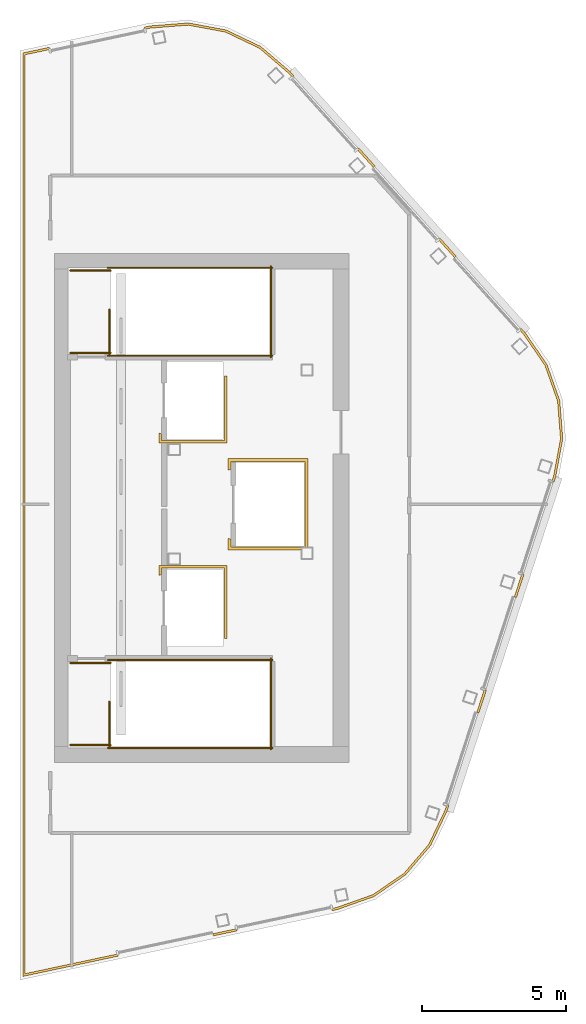
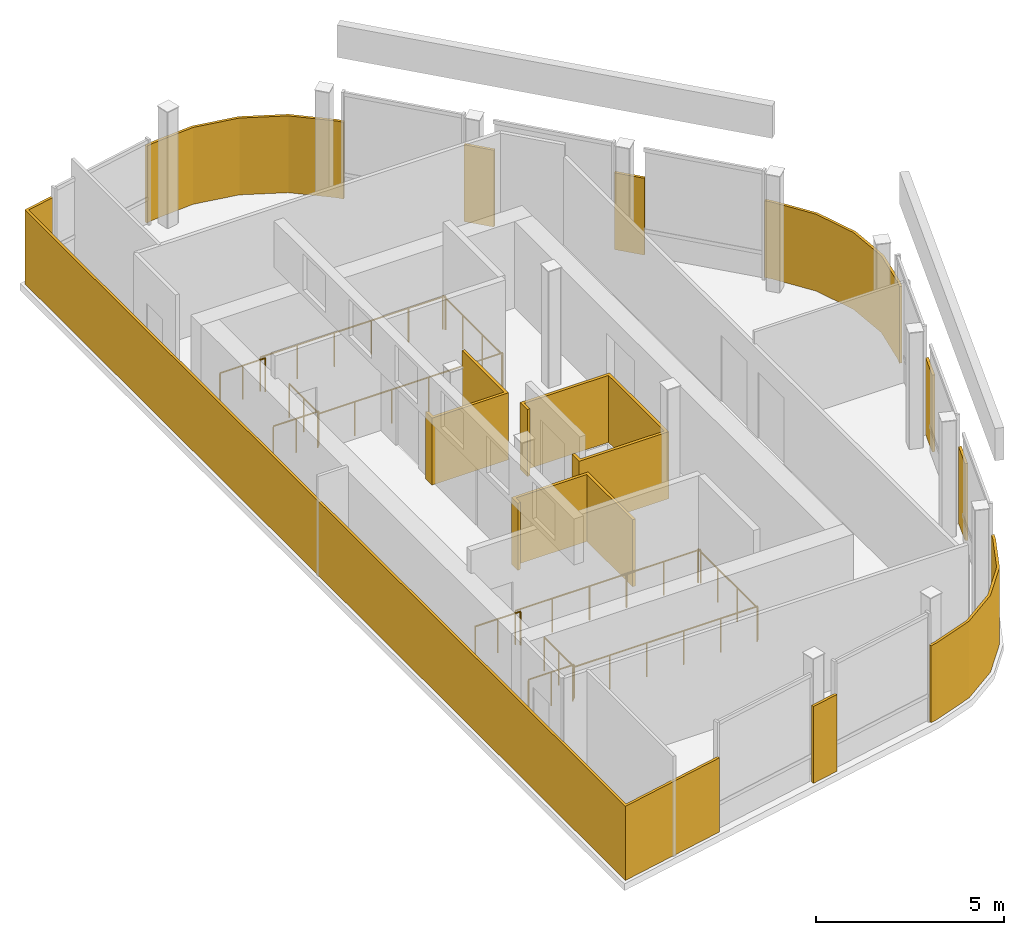
# One storey, part 3 of 3: 12 coverings, 12 railings.
"""IFC4 building model written with IfcOpenShell, lengths in metres."""

from ifc_helpers import new_model, si_unit, direction, frame, origin, origin_2d, place, context, subcontext, project, spatial, polyline, circle, outline, extrude, material, layer, layer_set, type_object, element, save


model = new_model("IFC4")

# Units and contexts
model_context = context("Model", 3, precision=1e-05, world=origin(), true_north=direction((0.0, 1.0)))
body_context = subcontext(model_context, "Body", "Model", "MODEL_VIEW")
ifc_project = project(units=[si_unit("LENGTHUNIT", "METRE"), si_unit("AREAUNIT", "SQUARE_METRE"), si_unit("VOLUMEUNIT", "CUBIC_METRE"), si_unit("PLANEANGLEUNIT", "RADIAN"), si_unit("MASSUNIT", "GRAM", prefix="KILO")], contexts=[model_context])

# Site, building, storey
site_placement = place(None, origin())
site = spatial("IfcSite", under=ifc_project, at=site_placement, CompositionType="ELEMENT")
building_placement = place(site_placement, origin())
building = spatial("IfcBuilding", under=site, at=building_placement, Name="Valkerne Bourse Tower", CompositionType="ELEMENT")
storey_placement = place(building_placement, frame((0.0, 0.0, 334.39990234375)))
storey = spatial("IfcBuildingStorey", under=building, at=storey_placement, Name="L85", CompositionType="ELEMENT", Elevation=334.39990234375)

# Coverings
ifc_material_1 = material(Name="Bronze Anodised Aluminium AA 6063-T6", Category="aluminium")
ifc_layer_1 = layer(ifc_material_1, 0.06005859375)
ifc_layer_set_1 = layer_set([ifc_layer_1], Name="Bronze Anodised Aluminium AA 6063-T6")
covering_type_1 = type_object("IfcCoveringType", Name="COV-CRN-ALUM", PredefinedType="CLADDING", material=ifc_layer_set_1)
covering_1_placement = place(storey_placement, origin())
element("IfcCovering", 1, at=covering_1_placement, inside=storey, type_object=covering_type_1, Name="L85 Wind-Shaped Corner Aluminium Cladding 01", PredefinedType="CLADDING", context=body_context, shape_type="SweptSolid", body=[
    extrude(outline(polyline([(52.144287109375, 43.4482421875), (53.345947265625, 42.875244140625), (54.363037109375, 42.00634765625), (54.4921875, 41.86279296875), (54.432861328125, 41.80908203125), (54.30712890625, 41.948974609375), (53.302001953125, 42.8076171875), (52.119384765625, 43.37158203125), (50.831298828125, 43.610107421875), (49.513427734375, 43.506591796875), (49.32958984375, 43.46728515625), (49.312744140625, 43.545654296875), (49.501953125, 43.585693359375), (50.83544921875, 43.69091796875), (52.144287109375, 43.4482421875)])), origin(), (0.0, 0.0, 1.0), 2.5),
])
covering_2_placement = place(storey_placement, origin())
element("IfcCovering", 2, at=covering_2_placement, inside=storey, type_object=covering_type_1, Name="L85 Wind-Shaped Corner Aluminium Cladding 02", PredefinedType="CLADDING", context=body_context, shape_type="SweptSolid", body=[
    extrude(outline(polyline([(57.310791015625, 38.732666015625), (57.251220703125, 38.67919921875), (56.689208984375, 39.30322265625), (56.748779296875, 39.35693359375), (57.310791015625, 38.732666015625)])), origin(), (0.0, 0.0, 1.0), 2.5),
])
covering_3_placement = place(storey_placement, origin())
element("IfcCovering", 3, at=covering_3_placement, inside=storey, type_object=covering_type_1, Name="L85 Wind-Shaped Corner Aluminium Cladding 03", PredefinedType="CLADDING", context=body_context, shape_type="SweptSolid", body=[
    extrude(outline(polyline([(60.129150390625, 35.6025390625), (60.069580078125, 35.549072265625), (59.507568359375, 36.173095703125), (59.56689453125, 36.226806640625), (60.129150390625, 35.6025390625)])), origin(), (0.0, 0.0, 1.0), 2.5),
])
covering_4_placement = place(storey_placement, origin())
element("IfcCovering", 4, at=covering_4_placement, inside=storey, type_object=covering_type_1, Name="L85 Wind-Shaped Corner Aluminium Cladding 04", PredefinedType="CLADDING", context=body_context, shape_type="SweptSolid", body=[
    extrude(outline(polyline([(62.5146484375, 32.953125), (63.2724609375, 31.8505859375), (63.716796875, 30.595703125), (63.8212890625, 29.268798828125), (63.577392578125, 27.953369140625), (63.517578125, 27.76953125), (63.441650390625, 27.794189453125), (63.499755859375, 27.97314453125), (63.740478515625, 29.27294921875), (63.6376953125, 30.5791015625), (63.200439453125, 31.81396484375), (62.45166015625, 32.9033203125), (62.325927734375, 33.043212890625), (62.385498046875, 33.0966796875), (62.5146484375, 32.953125)])), origin(), (0.0, 0.0, 1.0), 2.5),
])
covering_5_placement = place(storey_placement, origin())
element("IfcCovering", 5, at=covering_5_placement, inside=storey, type_object=covering_type_1, Name="L85 Wind-Shaped Corner Aluminium Cladding 05", PredefinedType="CLADDING", context=body_context, shape_type="SweptSolid", body=[
    extrude(outline(polyline([(62.216064453125, 23.763916015625), (62.139892578125, 23.78857421875), (62.399658203125, 24.58740234375), (62.4755859375, 24.562744140625), (62.216064453125, 23.763916015625)])), origin(), (0.0, 0.0, 1.0), 2.5),
])
covering_6_placement = place(storey_placement, origin())
element("IfcCovering", 6, at=covering_6_placement, inside=storey, type_object=covering_type_1, Name="L85 Wind-Shaped Corner Aluminium Cladding 06", PredefinedType="CLADDING", context=body_context, shape_type="SweptSolid", body=[
    extrude(outline(polyline([(60.91455078125, 19.7578125), (60.83837890625, 19.78271484375), (61.097900390625, 20.58154296875), (61.174072265625, 20.556884765625), (60.91455078125, 19.7578125)])), origin(), (0.0, 0.0, 1.0), 2.5),
])
covering_7_placement = place(storey_placement, origin())
element("IfcCovering", 7, at=covering_7_placement, inside=storey, type_object=covering_type_1, Name="L85 Wind-Shaped Corner Aluminium Cladding 07", PredefinedType="CLADDING", context=body_context, shape_type="SweptSolid", body=[
    extrude(outline(polyline([(59.812744140625, 16.3671875), (59.23681640625, 15.15966796875), (58.372314453125, 14.147705078125), (57.275390625, 13.3935546875), (56.014404296875, 12.947021484375), (55.825439453125, 12.906982421875), (55.80859375, 12.985107421875), (55.99267578125, 13.024169921875), (57.23876953125, 13.465576171875), (58.318359375, 14.20751953125), (59.169189453125, 15.20361328125), (59.73828125, 16.396728515625), (59.79638671875, 16.57568359375), (59.87255859375, 16.551025390625), (59.812744140625, 16.3671875)])), origin(), (0.0, 0.0, 1.0), 2.5),
])
covering_8_placement = place(storey_placement, origin())
element("IfcCovering", 8, at=covering_8_placement, inside=storey, type_object=covering_type_1, Name="L85 Wind-Shaped Corner Aluminium Cladding 08", PredefinedType="CLADDING", context=body_context, shape_type="SweptSolid", body=[
    extrude(outline(polyline([(51.705322265625, 12.031005859375), (51.688720703125, 12.109375), (52.510498046875, 12.283935546875), (52.527099609375, 12.205810546875), (51.705322265625, 12.031005859375)])), origin(), (0.0, 0.0, 1.0), 2.5),
])
covering_9_placement = place(storey_placement, origin())
element("IfcCovering", 9, at=covering_9_placement, inside=storey, type_object=covering_type_1, Name="L85 Wind-Shaped Corner Aluminium Cladding 09", PredefinedType="CLADDING", context=body_context, shape_type="SweptSolid", body=[
    extrude(outline(polyline([(45.10009765625, 10.627197265625), (45.10009765625, 42.650146484375), (46.0146484375, 42.844482421875), (46.03125, 42.766357421875), (45.179931640625, 42.58544921875), (45.179931640625, 10.725830078125), (48.390380859375, 11.408203125), (48.406982421875, 11.330078125), (45.10009765625, 10.627197265625)])), origin(), (0.0, 0.0, 1.0), 2.412841796875),
])
ifc_material_2 = material(Name="Gypsum Shaftwall Liner Board", Category="gypsum")
ifc_layer_2 = layer(ifc_material_2, 0.080078125)
ifc_layer_set_2 = layer_set([ifc_layer_2], Name="Gypsum Shaftwall Liner Board")
covering_type_2 = type_object("IfcCoveringType", Name="COV-SHF-CLAD", PredefinedType="CLADDING", material=ifc_layer_set_2)
covering_10_placement = place(storey_placement, origin())
element("IfcCovering", 10, at=covering_10_placement, inside=storey, type_object=covering_type_2, Name="L85 Hoistway & Riser Shaftwall Liner 01", PredefinedType="CLADDING", context=body_context, shape_type="SweptSolid", body=[
    extrude(outline(polyline([(52.179931640625, 24.8798828125), (52.179931640625, 22.35009765625), (52.090087890625, 22.35009765625), (52.090087890625, 24.7900390625), (49.909912109375, 24.7900390625), (49.909912109375, 24.560791015625), (49.869384765625, 24.550537109375), (49.827880859375, 24.53564453125), (49.820068359375, 24.531982421875), (49.820068359375, 24.8798828125), (52.179931640625, 24.8798828125)])), origin(), (0.0, 0.0, 1.0), 2.18017578125),
])
covering_11_placement = place(storey_placement, origin())
element("IfcCovering", 11, at=covering_11_placement, inside=storey, type_object=covering_type_2, Name="L85 Hoistway & Riser Shaftwall Liner 02", PredefinedType="CLADDING", context=body_context, shape_type="SweptSolid", body=[
    extrude(outline(polyline([(52.219970703125, 25.81787109375), (52.227783203125, 25.814208984375), (52.269287109375, 25.79931640625), (52.31005859375, 25.789306640625), (52.31005859375, 25.510009765625), (54.889892578125, 25.510009765625), (54.889892578125, 28.489990234375), (52.31005859375, 28.489990234375), (52.31005859375, 28.210693359375), (52.269287109375, 28.20068359375), (52.227783203125, 28.185791015625), (52.219970703125, 28.18212890625), (52.219970703125, 28.580078125), (54.97998046875, 28.580078125), (54.97998046875, 25.419921875), (52.219970703125, 25.419921875), (52.219970703125, 25.81787109375)])), origin(), (0.0, 0.0, 1.0), 2.18017578125),
])
covering_12_placement = place(storey_placement, origin())
element("IfcCovering", 12, at=covering_12_placement, inside=storey, type_object=covering_type_2, Name="L85 Hoistway & Riser Shaftwall Liner 03", PredefinedType="CLADDING", context=body_context, shape_type="SweptSolid", body=[
    extrude(outline(polyline([(49.820068359375, 29.1201171875), (49.820068359375, 29.468017578125), (49.827880859375, 29.46435546875), (49.869384765625, 29.449462890625), (49.909912109375, 29.439208984375), (49.909912109375, 29.2099609375), (52.090087890625, 29.2099609375), (52.090087890625, 31.449951171875), (52.179931640625, 31.449951171875), (52.179931640625, 29.1201171875), (49.820068359375, 29.1201171875)])), origin(), (0.0, 0.0, 1.0), 2.18017578125),
])

# Railings
ifc_material_3 = material(Name="Galvanised Painted Steel", Category="steel")
railing_type = type_object("IfcRailingType", Name="RLG-ST-GUARD-1120", PredefinedType="GUARDRAIL", material=ifc_material_3)
railing_1_placement = place(storey_placement, frame((48.10009765625, 18.60009765625, 0.0)))
element("IfcRailing", 13, at=railing_1_placement, inside=storey, type_object=railing_type, Name="L85 ST-1 top well guard 1", PredefinedType="GUARDRAIL", context=body_context, shape_type="SweptSolid", body=[
    extrude(circle(Radius=0.02392578125, at=origin_2d()), frame((0.0, 0.0, 1.09619140625), z_axis=(0.0, 1.0, 0.0), x_axis=(-1.0, 0.0, 0.0)), (0.0, 0.0, 1.0), 1.5498046875),
    extrude(circle(Radius=0.02099609375, at=origin_2d()), origin(), (0.0, 0.0, 1.0), 1.072021484375),
    extrude(circle(Radius=0.02099609375, at=origin_2d()), frame((0.0, 0.77490234375, 0.0)), (0.0, 0.0, 1.0), 1.072021484375),
    extrude(circle(Radius=0.02099609375, at=origin_2d()), frame((0.0, 1.5498046875, 0.0)), (0.0, 0.0, 1.0), 1.072021484375),
])
for number, where, name in (
    (14, (48.050048828125, 18.550048828125, 0.0), "L85 ST-1 top well guard 2"),
    (15, (48.050048828125, 21.60009765625, 0.0), "L85 ST-1 top well guard 3"),
):
    element("IfcRailing", number, at=place(storey_placement, frame(where)), inside=storey, type_object=railing_type, Name=name, PredefinedType="GUARDRAIL", context=body_context, shape_type="SweptSolid", body=[
        extrude(circle(Radius=0.02392578125, at=origin_2d()), frame((0.0, 0.0, 1.09619140625), z_axis=(1.0, 0.0, 0.0), x_axis=(0.0, 1.0, 0.0)), (0.0, 0.0, 1.0), 5.699951171875),
        extrude(circle(Radius=0.02099609375, at=origin_2d()), origin(), (0.0, 0.0, 1.0), 1.072021484375),
        extrude(circle(Radius=0.02099609375, at=origin_2d()), frame((1.139892578125, 0.0, 0.0)), (0.0, 0.0, 1.0), 1.072021484375),
        extrude(circle(Radius=0.02099609375, at=origin_2d()), frame((2.280029296875, 0.0, 0.0)), (0.0, 0.0, 1.0), 1.072021484375),
        extrude(circle(Radius=0.02099609375, at=origin_2d()), frame((3.419921875, 0.0, 0.0)), (0.0, 0.0, 1.0), 1.072021484375),
        extrude(circle(Radius=0.02099609375, at=origin_2d()), frame((4.56005859375, 0.0, 0.0)), (0.0, 0.0, 1.0), 1.072021484375),
        extrude(circle(Radius=0.02099609375, at=origin_2d()), frame((5.699951171875, 0.0, 0.0)), (0.0, 0.0, 1.0), 1.072021484375),
    ])
railing_2_placement = place(storey_placement, frame((53.699951171875, 18.5, 0.0)))
element("IfcRailing", 16, at=railing_2_placement, inside=storey, type_object=railing_type, Name="L85 ST-1 top well guard 4", PredefinedType="GUARDRAIL", context=body_context, shape_type="SweptSolid", body=[
    extrude(circle(Radius=0.02392578125, at=origin_2d()), frame((0.0, 0.0, 1.09619140625), z_axis=(0.0, 1.0, 0.0), x_axis=(-1.0, 0.0, 0.0)), (0.0, 0.0, 1.0), 3.14990234375),
    extrude(circle(Radius=0.02099609375, at=origin_2d()), origin(), (0.0, 0.0, 1.0), 1.072021484375),
    extrude(circle(Radius=0.02099609375, at=origin_2d()), frame((0.0, 1.050048828125, 0.0)), (0.0, 0.0, 1.0), 1.072021484375),
    extrude(circle(Radius=0.02099609375, at=origin_2d()), frame((0.0, 2.099853515625, 0.0)), (0.0, 0.0, 1.0), 1.072021484375),
    extrude(circle(Radius=0.02099609375, at=origin_2d()), frame((0.0, 3.14990234375, 0.0)), (0.0, 0.0, 1.0), 1.072021484375),
])
for number, where, name in (
    (17, (46.75, 18.64990234375, 0.0), "L85 ST-1 top well guard 5"),
    (18, (46.75, 21.5, 0.0), "L85 ST-1 top well guard 6"),
):
    element("IfcRailing", number, at=place(storey_placement, frame(where)), inside=storey, type_object=railing_type, Name=name, PredefinedType="GUARDRAIL", context=body_context, shape_type="SweptSolid", body=[
        extrude(circle(Radius=0.02392578125, at=origin_2d()), frame((0.0, 0.0, 1.09619140625), z_axis=(1.0, 0.0, 0.0), x_axis=(0.0, 1.0, 0.0)), (0.0, 0.0, 1.0), 1.39990234375),
        extrude(circle(Radius=0.02099609375, at=origin_2d()), origin(), (0.0, 0.0, 1.0), 1.072021484375),
        extrude(circle(Radius=0.02099609375, at=origin_2d()), frame((0.699951171875, 0.0, 0.0)), (0.0, 0.0, 1.0), 1.072021484375),
        extrude(circle(Radius=0.02099609375, at=origin_2d()), frame((1.39990234375, 0.0, 0.0)), (0.0, 0.0, 1.0), 1.072021484375),
    ])
railing_3_placement = place(storey_placement, frame((48.10009765625, 32.199951171875, 0.0)))
element("IfcRailing", 19, at=railing_3_placement, inside=storey, type_object=railing_type, Name="L85 ST-2 top well guard 1", PredefinedType="GUARDRAIL", context=body_context, shape_type="SweptSolid", body=[
    extrude(circle(Radius=0.02392578125, at=origin_2d()), frame((0.0, 0.0, 1.09619140625), z_axis=(0.0, 1.0, 0.0), x_axis=(-1.0, 0.0, 0.0)), (0.0, 0.0, 1.0), 1.550048828125),
    extrude(circle(Radius=0.02099609375, at=origin_2d()), origin(), (0.0, 0.0, 1.0), 1.072021484375),
    extrude(circle(Radius=0.02099609375, at=origin_2d()), frame((0.0, 0.77490234375, 0.0)), (0.0, 0.0, 1.0), 1.072021484375),
    extrude(circle(Radius=0.02099609375, at=origin_2d()), frame((0.0, 1.550048828125, 0.0)), (0.0, 0.0, 1.0), 1.072021484375),
])
for number, where, name in (
    (20, (48.050048828125, 32.14990234375, 0.0), "L85 ST-2 top well guard 2"),
    (21, (48.050048828125, 35.199951171875, 0.0), "L85 ST-2 top well guard 3"),
):
    element("IfcRailing", number, at=place(storey_placement, frame(where)), inside=storey, type_object=railing_type, Name=name, PredefinedType="GUARDRAIL", context=body_context, shape_type="SweptSolid", body=[
        extrude(circle(Radius=0.02392578125, at=origin_2d()), frame((0.0, 0.0, 1.09619140625), z_axis=(1.0, 0.0, 0.0), x_axis=(0.0, 1.0, 0.0)), (0.0, 0.0, 1.0), 5.699951171875),
        extrude(circle(Radius=0.02099609375, at=origin_2d()), origin(), (0.0, 0.0, 1.0), 1.072021484375),
        extrude(circle(Radius=0.02099609375, at=origin_2d()), frame((1.139892578125, 0.0, 0.0)), (0.0, 0.0, 1.0), 1.072021484375),
        extrude(circle(Radius=0.02099609375, at=origin_2d()), frame((2.280029296875, 0.0, 0.0)), (0.0, 0.0, 1.0), 1.072021484375),
        extrude(circle(Radius=0.02099609375, at=origin_2d()), frame((3.419921875, 0.0, 0.0)), (0.0, 0.0, 1.0), 1.072021484375),
        extrude(circle(Radius=0.02099609375, at=origin_2d()), frame((4.56005859375, 0.0, 0.0)), (0.0, 0.0, 1.0), 1.072021484375),
        extrude(circle(Radius=0.02099609375, at=origin_2d()), frame((5.699951171875, 0.0, 0.0)), (0.0, 0.0, 1.0), 1.072021484375),
    ])
railing_4_placement = place(storey_placement, frame((53.699951171875, 32.10009765625, 0.0)))
element("IfcRailing", 22, at=railing_4_placement, inside=storey, type_object=railing_type, Name="L85 ST-2 top well guard 4", PredefinedType="GUARDRAIL", context=body_context, shape_type="SweptSolid", body=[
    extrude(circle(Radius=0.02392578125, at=origin_2d()), frame((0.0, 0.0, 1.09619140625), z_axis=(0.0, 1.0, 0.0), x_axis=(-1.0, 0.0, 0.0)), (0.0, 0.0, 1.0), 3.14990234375),
    extrude(circle(Radius=0.02099609375, at=origin_2d()), origin(), (0.0, 0.0, 1.0), 1.072021484375),
    extrude(circle(Radius=0.02099609375, at=origin_2d()), frame((0.0, 1.050048828125, 0.0)), (0.0, 0.0, 1.0), 1.072021484375),
    extrude(circle(Radius=0.02099609375, at=origin_2d()), frame((0.0, 2.099853515625, 0.0)), (0.0, 0.0, 1.0), 1.072021484375),
    extrude(circle(Radius=0.02099609375, at=origin_2d()), frame((0.0, 3.14990234375, 0.0)), (0.0, 0.0, 1.0), 1.072021484375),
])
for number, where, name in (
    (23, (46.75, 32.25, 0.0), "L85 ST-2 top well guard 5"),
    (24, (46.75, 35.10009765625, 0.0), "L85 ST-2 top well guard 6"),
):
    element("IfcRailing", number, at=place(storey_placement, frame(where)), inside=storey, type_object=railing_type, Name=name, PredefinedType="GUARDRAIL", context=body_context, shape_type="SweptSolid", body=[
        extrude(circle(Radius=0.02392578125, at=origin_2d()), frame((0.0, 0.0, 1.09619140625), z_axis=(1.0, 0.0, 0.0), x_axis=(0.0, 1.0, 0.0)), (0.0, 0.0, 1.0), 1.39990234375),
        extrude(circle(Radius=0.02099609375, at=origin_2d()), origin(), (0.0, 0.0, 1.0), 1.072021484375),
        extrude(circle(Radius=0.02099609375, at=origin_2d()), frame((0.699951171875, 0.0, 0.0)), (0.0, 0.0, 1.0), 1.072021484375),
        extrude(circle(Radius=0.02099609375, at=origin_2d()), frame((1.39990234375, 0.0, 0.0)), (0.0, 0.0, 1.0), 1.072021484375),
    ])

save(model, "model.ifc")
